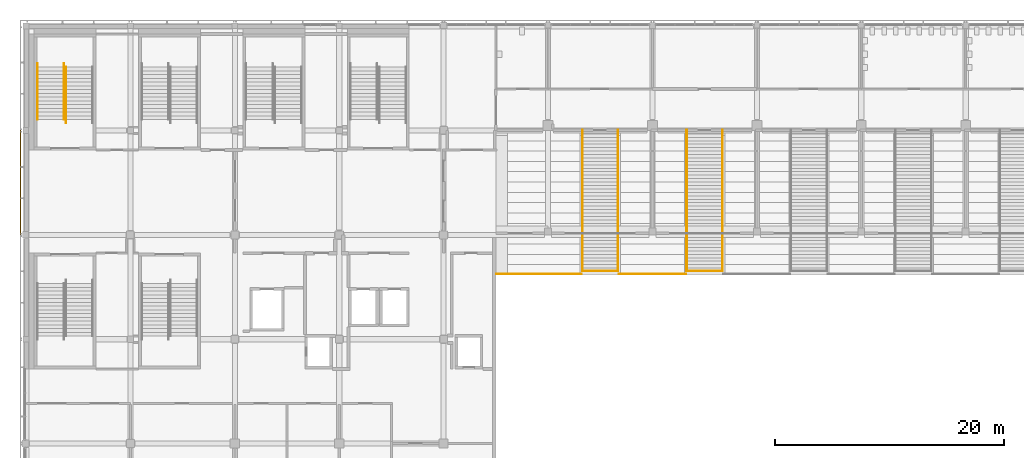
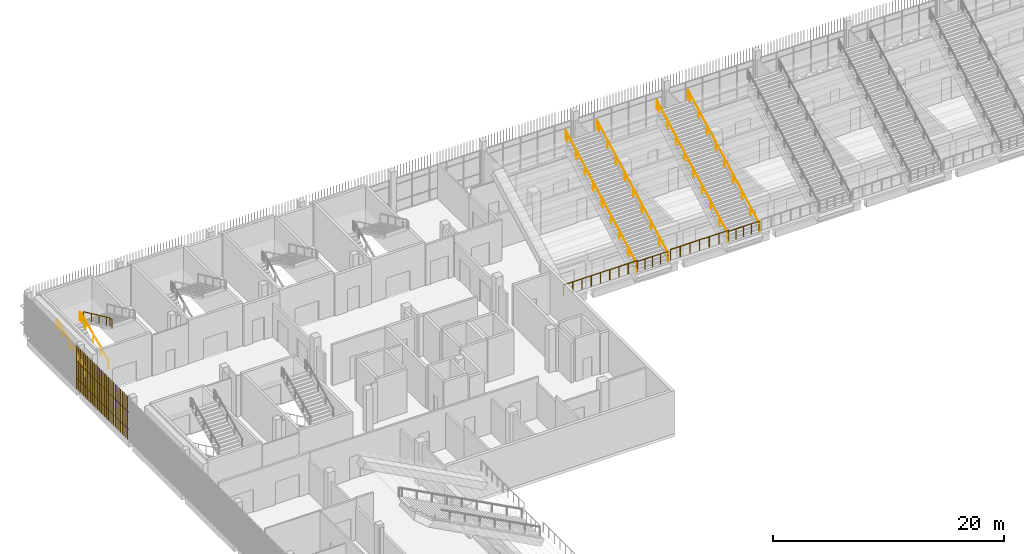
# One storey, part 123 of 139: 11 railings, 1 shading device.
"""IFC4 building model written with IfcOpenShell, lengths in metres."""

import ifcopenshell
import ifcopenshell.guid

model = None  # the IFC model being written
_history = None  # IfcOwnerHistory: only IFC2X3 demands one
_inside = {}  # id of a spatial element -> (the spatial element, [elements in it])
_under = {}  # id of a project, library or spatial element -> (it, [spatial elements below it])
_declared = {}  # id of a project -> (the project, [libraries it declares])
_typed = {}  # id of a type object -> (the type object, [elements of that type])
_made_of = {}  # id of a material, layer set ... -> (it, [elements and type objects made of it])


def new_model(schema):
    """Start an empty IFC model of exactly this schema.

    Asked for "IFC4X3", IfcOpenShell would pick the latest addendum, in which some entities
    have other attributes; the version numbers below select the first issue.
    IFC2X3 requires an IfcOwnerHistory on every rooted entity: one is made here for all.
    """
    global model, _history
    if schema == "IFC4X3":
        model = ifcopenshell.file(schema_version=(4, 3, 0, 0))
    else:
        model = ifcopenshell.file(schema=schema)
    _inside.clear()
    _under.clear()
    _declared.clear()
    _typed.clear()
    _made_of.clear()
    _history = None
    if model.schema == "IFC2X3":
        org = make("IfcOrganization", Name="unknown")
        user = make(
            "IfcPersonAndOrganization",
            ThePerson=make("IfcPerson", FamilyName="unknown"),
            TheOrganization=org,
        )
        app = make(
            "IfcApplication",
            ApplicationDeveloper=org,
            Version="unknown",
            ApplicationFullName="unknown",
            ApplicationIdentifier="unknown",
        )
        _history = make(
            "IfcOwnerHistory",
            OwningUser=user,
            OwningApplication=app,
            ChangeAction="ADDED",
            CreationDate=0,
        )
    return model


def make(cls, **values):
    """One entity of the class cls with the attributes given. An attribute that is None is left unset."""
    return model.create_entity(
        cls, **{name: value for name, value in values.items() if value is not None}
    )


def rooted(cls, **values):
    """An entity with a GlobalId (a new one), such as an element, a storey or a relation."""
    return make(cls, GlobalId=ifcopenshell.guid.new(), OwnerHistory=_history, **values)


def si_unit(unit_type, name, prefix=None):
    """IfcSIUnit, for example si_unit("LENGTHUNIT", "METRE", prefix="MILLI")."""
    return make("IfcSIUnit", UnitType=unit_type, Prefix=prefix, Name=name)


def assignment(units):
    """IfcUnitAssignment: the units of a project."""
    return None if units is None else make("IfcUnitAssignment", Units=units)


def point(xyz):
    """IfcCartesianPoint."""
    return None if xyz is None else make("IfcCartesianPoint", Coordinates=xyz)


def direction(xyz):
    """IfcDirection."""
    return None if xyz is None else make("IfcDirection", DirectionRatios=xyz)


def frame(location, z_axis=None, x_axis=None):
    """IfcAxis2Placement3D, a coordinate frame: its origin and axes. An axis left out is left unset."""
    return make(
        "IfcAxis2Placement3D",
        Location=point(location),
        Axis=direction(z_axis),
        RefDirection=direction(x_axis),
    )


def frame_2d(location, x_axis=None):
    """IfcAxis2Placement2D, a coordinate frame in the plane: its origin and x axis."""
    return make(
        "IfcAxis2Placement2D", Location=point(location), RefDirection=direction(x_axis)
    )


def origin():
    """The frame at (0, 0, 0) with its axes left unset."""
    return frame((0.0, 0.0, 0.0))


def origin_2d():
    """The frame at (0, 0) in the plane with its x axis left unset."""
    return frame_2d((0.0, 0.0))


def place(relative_to, where):
    """IfcLocalPlacement: puts the frame where relative to a parent placement (None: the world)."""
    return make(
        "IfcLocalPlacement", PlacementRelTo=relative_to, RelativePlacement=where
    )


def context(
    kind, dimensions, precision=None, world=None, true_north=None, identifier=None
):
    """IfcGeometricRepresentationContext, for example the 3D "Model" context."""
    return make(
        "IfcGeometricRepresentationContext",
        ContextIdentifier=identifier,
        ContextType=kind,
        CoordinateSpaceDimension=dimensions,
        Precision=precision,
        WorldCoordinateSystem=world,
        TrueNorth=true_north,
    )


def subcontext(parent, identifier, kind, view, scale=None):
    """IfcGeometricRepresentationSubContext, for example "Body" below "Model"."""
    return make(
        "IfcGeometricRepresentationSubContext",
        ContextIdentifier=identifier,
        ContextType=kind,
        ParentContext=parent,
        TargetScale=scale,
        TargetView=view,
    )


def project(units=None, contexts=None):
    """IfcProject with its units and contexts."""
    return rooted(
        "IfcProject",
        Name="project",
        RepresentationContexts=contexts,
        UnitsInContext=assignment(units),
    )


def spatial(cls, under=None, at=None, **own):
    """A site, building, storey or space (cls), placed at a placement, below another one or the project."""
    s = rooted(cls, ObjectPlacement=at, **own)
    if under is not None:
        _under.setdefault(under.id(), (under, []))[1].append(s)
    return s


def profile(cls, at=None, kind="AREA", **sizes):
    """A parametric profile (cls). Its sizes go by their IFC names, for example OverallWidth=200.0."""
    return make(cls, ProfileType=kind, Position=at, **sizes)


def rectangle(**sizes):
    """IfcRectangleProfileDef."""
    return profile("IfcRectangleProfileDef", **sizes)


def circle(**sizes):
    """IfcCircleProfileDef."""
    return profile("IfcCircleProfileDef", **sizes)


def extrude(swept, where, along, depth):
    """IfcExtrudedAreaSolid: the profile swept, set in the frame where, extruded along a direction by depth."""
    return make(
        "IfcExtrudedAreaSolid",
        SweptArea=swept,
        Position=where,
        ExtrudedDirection=direction(along),
        Depth=depth,
    )


def shape(context_of_items, identifier, shape_type, items):
    """IfcShapeRepresentation: the items that make up one representation, for example the "Body"."""
    return make(
        "IfcShapeRepresentation",
        ContextOfItems=context_of_items,
        RepresentationIdentifier=identifier,
        RepresentationType=shape_type,
        Items=items,
    )


def material(Name=None, Category=None):
    """IfcMaterial."""
    return make("IfcMaterial", Name=Name, Category=Category)


def made_of(thing, what):
    """Note that an element or type object is made of a material, layer set ...; save() writes the relation."""
    if what is not None:
        _made_of.setdefault(what.id(), (what, []))[1].append(thing)
    return thing


def type_object(cls, material=None, **own):
    """A type object (cls), such as IfcWallType, which elements share."""
    return made_of(rooted(cls, **own), material)


def element(
    cls,
    number,
    at=None,
    inside=None,
    cuts=None,
    type_object=None,
    material=None,
    context=None,
    identifier="Body",
    shape_type=None,
    held_by="IfcProductDefinitionShape",
    body=None,
    shapes=None,
    **own,
):
    """One element of the class cls, such as IfcWall. Its Tag is "e" and its number.

    at: its placement. inside: the storey or other place that contains it. cuts: it is an
    opening in that element (IfcRelVoidsElement). A single representation is given by context,
    identifier, shape_type and body (its items); several are given by shapes. held_by: the class
    of the entity that holds the representations. save() writes the other relations.
    """
    e = rooted(cls, Tag="e%d" % number, ObjectPlacement=at, **own)
    if body is not None:
        shapes = [shape(context, identifier, shape_type, body)]
    if shapes is not None:
        e.Representation = make(held_by, Representations=shapes)
    if inside is not None:
        _inside.setdefault(inside.id(), (inside, []))[1].append(e)
    if cuts is not None:
        rooted(
            "IfcRelVoidsElement", RelatingBuildingElement=cuts, RelatedOpeningElement=e
        )
    if type_object is not None:
        _typed.setdefault(type_object.id(), (type_object, []))[1].append(e)
    return made_of(e, material)


def aggregate(whole, parts):
    """IfcRelAggregates: a whole, such as a stair, and the parts it consists of."""
    return rooted("IfcRelAggregates", RelatingObject=whole, RelatedObjects=parts)


def save(model, path):
    """Write the relations noted so far, then the file.

    IfcRelAggregates (storeys below a building ...), IfcRelContainedInSpatialStructure (elements
    in a storey), IfcRelDefinesByType, IfcRelAssociatesMaterial and IfcRelDeclares: one each for
    every whole, place, type object, material and project.
    """
    for whole, parts in _under.values():
        aggregate(whole, parts)
    for where, things in _inside.values():
        rooted(
            "IfcRelContainedInSpatialStructure",
            RelatedElements=things,
            RelatingStructure=where,
        )
    for kind, things in _typed.values():
        rooted("IfcRelDefinesByType", RelatedObjects=things, RelatingType=kind)
    for what, things in _made_of.values():
        rooted("IfcRelAssociatesMaterial", RelatedObjects=things, RelatingMaterial=what)
    for by, libraries in _declared.values():
        rooted("IfcRelDeclares", RelatingContext=by, RelatedDefinitions=libraries)
    model.write(path)


model = new_model("IFC4")

# Units and contexts
model_context = context("Model", 3, precision=1e-05, world=origin(), true_north=direction((0.0, 1.0)))
body_context = subcontext(model_context, "Body", "Model", "MODEL_VIEW")
ifc_project = project(units=[si_unit("LENGTHUNIT", "METRE"), si_unit("AREAUNIT", "SQUARE_METRE"), si_unit("VOLUMEUNIT", "CUBIC_METRE"), si_unit("PLANEANGLEUNIT", "RADIAN"), si_unit("MASSUNIT", "GRAM", prefix="KILO")], contexts=[model_context])

# Site, building, storey
site_placement = place(None, origin())
site = spatial("IfcSite", under=ifc_project, at=site_placement, CompositionType="ELEMENT")
building_placement = place(site_placement, origin())
building = spatial("IfcBuilding", under=site, at=building_placement, Name="Shirokan Park Arena", CompositionType="ELEMENT")
storey_placement = place(building_placement, frame((0.0, 0.0, 15.469970703125)))
storey = spatial("IfcBuildingStorey", under=building, at=storey_placement, Name="L03", CompositionType="ELEMENT", Elevation=15.469970703125)

# Railings
ifc_material_1 = material(Name="Stainless steel", Category="steel")
railing_type_1 = type_object("IfcRailingType", Name="Aisle foot guard 1100", PredefinedType="GUARDRAIL", material=ifc_material_1)
railing_1_placement = place(storey_placement, frame((48.5, 87.85009765625, 2.5400390625)))
element("IfcRailing", 1, at=railing_1_placement, inside=storey, type_object=railing_type_1, Name="Guard foot of vomitory stair N1 upper", PredefinedType="GUARDRAIL", context=body_context, shape_type="SweptSolid", body=[
    extrude(circle(Radius=0.02490234375, at=origin_2d()), frame((0.0, 0.0, 1.0771484375), z_axis=(1.0, 0.0, 0.0), x_axis=(0.0, 1.0, 0.0)), (0.0, 0.0, 1.0), 3.10009765625),
    extrude(circle(Radius=0.02490234375, at=origin_2d()), origin(), (0.0, 0.0, 1.0), 1.052001953125),
    extrude(circle(Radius=0.02490234375, at=origin_2d()), frame((0.77490234375, 0.0, 0.0)), (0.0, 0.0, 1.0), 1.052001953125),
    extrude(circle(Radius=0.02490234375, at=origin_2d()), frame((1.550048828125, 0.0, 0.0)), (0.0, 0.0, 1.0), 1.052001953125),
    extrude(circle(Radius=0.02490234375, at=origin_2d()), frame((2.3251953125, 0.0, 0.0)), (0.0, 0.0, 1.0), 1.052001953125),
    extrude(circle(Radius=0.02490234375, at=origin_2d()), frame((3.10009765625, 0.0, 0.0)), (0.0, 0.0, 1.0), 1.052001953125),
])
railing_2_placement = place(storey_placement, frame((57.60009765625, 87.85009765625, 2.5400390625)))
element("IfcRailing", 2, at=railing_2_placement, inside=storey, type_object=railing_type_1, Name="Guard foot of vomitory stair N2 upper", PredefinedType="GUARDRAIL", context=body_context, shape_type="SweptSolid", body=[
    extrude(circle(Radius=0.02490234375, at=origin_2d()), frame((0.0, 0.0, 1.0771484375), z_axis=(1.0, 0.0, 0.0), x_axis=(0.0, 1.0, 0.0)), (0.0, 0.0, 1.0), 3.099853515625),
    extrude(circle(Radius=0.02490234375, at=origin_2d()), origin(), (0.0, 0.0, 1.0), 1.052001953125),
    extrude(circle(Radius=0.02490234375, at=origin_2d()), frame((0.77490234375, 0.0, 0.0)), (0.0, 0.0, 1.0), 1.052001953125),
    extrude(circle(Radius=0.02490234375, at=origin_2d()), frame((1.5498046875, 0.0, 0.0)), (0.0, 0.0, 1.0), 1.052001953125),
    extrude(circle(Radius=0.02490234375, at=origin_2d()), frame((2.324951171875, 0.0, 0.0)), (0.0, 0.0, 1.0), 1.052001953125),
    extrude(circle(Radius=0.02490234375, at=origin_2d()), frame((3.099853515625, 0.0, 0.0)), (0.0, 0.0, 1.0), 1.052001953125),
])
railing_type_2 = type_object("IfcRailingType", Name="Aisle handrail 900", PredefinedType="HANDRAIL", material=ifc_material_1)
railing_3_placement = place(storey_placement, frame((48.489990234375, 87.85009765625, 2.5400390625)))
element("IfcRailing", 3, at=railing_3_placement, inside=storey, type_object=railing_type_2, Name="Handrail vomitory stair N1 upper", PredefinedType="HANDRAIL", context=body_context, shape_type="SweptSolid", body=[
    extrude(circle(Radius=0.02490234375, at=origin_2d()), frame((0.0, 0.0, 0.90185546875), z_axis=(0.0, 0.882341014787, 0.470610596591), x_axis=(-1.0, 0.0, 0.0)), (0.0, 0.0, 1.0), 1.699951171875),
    extrude(circle(Radius=0.02490234375, at=origin_2d()), frame((0.0, 1.5, 1.70166015625), z_axis=(0.0, 0.882341014787, 0.470610596591), x_axis=(-1.0, 0.0, 0.0)), (0.0, 0.0, 1.0), 1.699951171875),
    extrude(circle(Radius=0.02490234375, at=origin_2d()), frame((0.0, 3.0, 2.501953125), z_axis=(0.0, 0.88240064429, 0.470498781037), x_axis=(-1.0, 0.0, 0.0)), (0.0, 0.0, 1.0), 1.699951171875),
    extrude(circle(Radius=0.02490234375, at=origin_2d()), frame((0.0, 4.5, 3.3017578125), z_axis=(0.0, 0.882341014787, 0.470610596591), x_axis=(-1.0, 0.0, 0.0)), (0.0, 0.0, 1.0), 1.699951171875),
    extrude(circle(Radius=0.02490234375, at=origin_2d()), frame((0.0, 6.0, 4.1015625), z_axis=(0.0, 0.882341014787, 0.470610596591), x_axis=(-1.0, 0.0, 0.0)), (0.0, 0.0, 1.0), 1.699951171875),
    extrude(circle(Radius=0.02490234375, at=origin_2d()), frame((0.0, 7.5, 4.90185546875), z_axis=(0.0, 0.882341014787, 0.470610596591), x_axis=(-1.0, 0.0, 0.0)), (0.0, 0.0, 1.0), 1.699951171875),
    extrude(circle(Radius=0.02490234375, at=origin_2d()), frame((0.0, 9.0, 5.70166015625), z_axis=(0.0, 0.882341014787, 0.470610596591), x_axis=(-1.0, 0.0, 0.0)), (0.0, 0.0, 1.0), 1.699951171875),
    extrude(circle(Radius=0.02490234375, at=origin_2d()), frame((0.0, 10.5, 6.501953125), z_axis=(0.0, 0.88240064429, 0.470498781037), x_axis=(-1.0, 0.0, 0.0)), (0.0, 0.0, 1.0), 1.699951171875),
    extrude(circle(Radius=0.02490234375, at=origin_2d()), frame((0.0, 12.0, 7.3017578125), z_axis=(0.0, 0.882034613395, 0.471184614322), x_axis=(-1.0, 0.0, 0.0)), (0.0, 0.0, 1.0), 0.33984375),
    extrude(circle(Radius=0.02490234375, at=origin_2d()), origin(), (0.0, 0.0, 1.0), 0.876708984375),
    extrude(circle(Radius=0.02490234375, at=origin_2d()), frame((0.0, 1.5, 0.800048828125)), (0.0, 0.0, 1.0), 0.876708984375),
    extrude(circle(Radius=0.02490234375, at=origin_2d()), frame((0.0, 3.0, 1.60009765625)), (0.0, 0.0, 1.0), 0.876708984375),
    extrude(circle(Radius=0.02490234375, at=origin_2d()), frame((0.0, 4.5, 2.39990234375)), (0.0, 0.0, 1.0), 0.876708984375),
    extrude(circle(Radius=0.02490234375, at=origin_2d()), frame((0.0, 6.0, 3.199951171875)), (0.0, 0.0, 1.0), 0.876708984375),
    extrude(circle(Radius=0.02490234375, at=origin_2d()), frame((0.0, 7.5, 4.0)), (0.0, 0.0, 1.0), 0.876708984375),
    extrude(circle(Radius=0.02490234375, at=origin_2d()), frame((0.0, 9.0, 4.800048828125)), (0.0, 0.0, 1.0), 0.876708984375),
    extrude(circle(Radius=0.02490234375, at=origin_2d()), frame((0.0, 10.5, 5.60009765625)), (0.0, 0.0, 1.0), 0.876708984375),
    extrude(circle(Radius=0.02490234375, at=origin_2d()), frame((0.0, 12.0, 6.39990234375)), (0.0, 0.0, 1.0), 0.876708984375),
    extrude(circle(Radius=0.02490234375, at=origin_2d()), frame((0.0, 12.2998046875, 6.56005859375)), (0.0, 0.0, 1.0), 0.876708984375),
])
railing_4_placement = place(storey_placement, frame((51.610107421875, 87.85009765625, 2.5400390625)))
element("IfcRailing", 4, at=railing_4_placement, inside=storey, type_object=railing_type_2, Name="Handrail vomitory stair N1 upper", PredefinedType="HANDRAIL", context=body_context, shape_type="SweptSolid", body=[
    extrude(circle(Radius=0.02490234375, at=origin_2d()), frame((0.0, 0.0, 0.90185546875), z_axis=(0.0, 0.882341014787, 0.470610596591), x_axis=(-1.0, 0.0, 0.0)), (0.0, 0.0, 1.0), 1.699951171875),
    extrude(circle(Radius=0.02490234375, at=origin_2d()), frame((0.0, 1.5, 1.70166015625), z_axis=(0.0, 0.882341014787, 0.470610596591), x_axis=(-1.0, 0.0, 0.0)), (0.0, 0.0, 1.0), 1.699951171875),
    extrude(circle(Radius=0.02490234375, at=origin_2d()), frame((0.0, 3.0, 2.501953125), z_axis=(0.0, 0.88240064429, 0.470498781037), x_axis=(-1.0, 0.0, 0.0)), (0.0, 0.0, 1.0), 1.699951171875),
    extrude(circle(Radius=0.02490234375, at=origin_2d()), frame((0.0, 4.5, 3.3017578125), z_axis=(0.0, 0.882341014787, 0.470610596591), x_axis=(-1.0, 0.0, 0.0)), (0.0, 0.0, 1.0), 1.699951171875),
    extrude(circle(Radius=0.02490234375, at=origin_2d()), frame((0.0, 6.0, 4.1015625), z_axis=(0.0, 0.882341014787, 0.470610596591), x_axis=(-1.0, 0.0, 0.0)), (0.0, 0.0, 1.0), 1.699951171875),
    extrude(circle(Radius=0.02490234375, at=origin_2d()), frame((0.0, 7.5, 4.90185546875), z_axis=(0.0, 0.882341014787, 0.470610596591), x_axis=(-1.0, 0.0, 0.0)), (0.0, 0.0, 1.0), 1.699951171875),
    extrude(circle(Radius=0.02490234375, at=origin_2d()), frame((0.0, 9.0, 5.70166015625), z_axis=(0.0, 0.882341014787, 0.470610596591), x_axis=(-1.0, 0.0, 0.0)), (0.0, 0.0, 1.0), 1.699951171875),
    extrude(circle(Radius=0.02490234375, at=origin_2d()), frame((0.0, 10.5, 6.501953125), z_axis=(0.0, 0.88240064429, 0.470498781037), x_axis=(-1.0, 0.0, 0.0)), (0.0, 0.0, 1.0), 1.699951171875),
    extrude(circle(Radius=0.02490234375, at=origin_2d()), frame((0.0, 12.0, 7.3017578125), z_axis=(0.0, 0.882034613395, 0.471184614322), x_axis=(-1.0, 0.0, 0.0)), (0.0, 0.0, 1.0), 0.33984375),
    extrude(circle(Radius=0.02490234375, at=origin_2d()), origin(), (0.0, 0.0, 1.0), 0.876708984375),
    extrude(circle(Radius=0.02490234375, at=origin_2d()), frame((0.0, 1.5, 0.800048828125)), (0.0, 0.0, 1.0), 0.876708984375),
    extrude(circle(Radius=0.02490234375, at=origin_2d()), frame((0.0, 3.0, 1.60009765625)), (0.0, 0.0, 1.0), 0.876708984375),
    extrude(circle(Radius=0.02490234375, at=origin_2d()), frame((0.0, 4.5, 2.39990234375)), (0.0, 0.0, 1.0), 0.876708984375),
    extrude(circle(Radius=0.02490234375, at=origin_2d()), frame((0.0, 6.0, 3.199951171875)), (0.0, 0.0, 1.0), 0.876708984375),
    extrude(circle(Radius=0.02490234375, at=origin_2d()), frame((0.0, 7.5, 4.0)), (0.0, 0.0, 1.0), 0.876708984375),
    extrude(circle(Radius=0.02490234375, at=origin_2d()), frame((0.0, 9.0, 4.800048828125)), (0.0, 0.0, 1.0), 0.876708984375),
    extrude(circle(Radius=0.02490234375, at=origin_2d()), frame((0.0, 10.5, 5.60009765625)), (0.0, 0.0, 1.0), 0.876708984375),
    extrude(circle(Radius=0.02490234375, at=origin_2d()), frame((0.0, 12.0, 6.39990234375)), (0.0, 0.0, 1.0), 0.876708984375),
    extrude(circle(Radius=0.02490234375, at=origin_2d()), frame((0.0, 12.2998046875, 6.56005859375)), (0.0, 0.0, 1.0), 0.876708984375),
])
railing_5_placement = place(storey_placement, frame((57.590087890625, 87.85009765625, 2.5400390625)))
element("IfcRailing", 5, at=railing_5_placement, inside=storey, type_object=railing_type_2, Name="Handrail vomitory stair N2 upper", PredefinedType="HANDRAIL", context=body_context, shape_type="SweptSolid", body=[
    extrude(circle(Radius=0.02490234375, at=origin_2d()), frame((0.0, 0.0, 0.90185546875), z_axis=(0.0, 0.882341014787, 0.470610596591), x_axis=(-1.0, 0.0, 0.0)), (0.0, 0.0, 1.0), 1.699951171875),
    extrude(circle(Radius=0.02490234375, at=origin_2d()), frame((0.0, 1.5, 1.70166015625), z_axis=(0.0, 0.882341014787, 0.470610596591), x_axis=(-1.0, 0.0, 0.0)), (0.0, 0.0, 1.0), 1.699951171875),
    extrude(circle(Radius=0.02490234375, at=origin_2d()), frame((0.0, 3.0, 2.501953125), z_axis=(0.0, 0.88240064429, 0.470498781037), x_axis=(-1.0, 0.0, 0.0)), (0.0, 0.0, 1.0), 1.699951171875),
    extrude(circle(Radius=0.02490234375, at=origin_2d()), frame((0.0, 4.5, 3.3017578125), z_axis=(0.0, 0.882341014787, 0.470610596591), x_axis=(-1.0, 0.0, 0.0)), (0.0, 0.0, 1.0), 1.699951171875),
    extrude(circle(Radius=0.02490234375, at=origin_2d()), frame((0.0, 6.0, 4.1015625), z_axis=(0.0, 0.882341014787, 0.470610596591), x_axis=(-1.0, 0.0, 0.0)), (0.0, 0.0, 1.0), 1.699951171875),
    extrude(circle(Radius=0.02490234375, at=origin_2d()), frame((0.0, 7.5, 4.90185546875), z_axis=(0.0, 0.882341014787, 0.470610596591), x_axis=(-1.0, 0.0, 0.0)), (0.0, 0.0, 1.0), 1.699951171875),
    extrude(circle(Radius=0.02490234375, at=origin_2d()), frame((0.0, 9.0, 5.70166015625), z_axis=(0.0, 0.882341014787, 0.470610596591), x_axis=(-1.0, 0.0, 0.0)), (0.0, 0.0, 1.0), 1.699951171875),
    extrude(circle(Radius=0.02490234375, at=origin_2d()), frame((0.0, 10.5, 6.501953125), z_axis=(0.0, 0.88240064429, 0.470498781037), x_axis=(-1.0, 0.0, 0.0)), (0.0, 0.0, 1.0), 1.699951171875),
    extrude(circle(Radius=0.02490234375, at=origin_2d()), frame((0.0, 12.0, 7.3017578125), z_axis=(0.0, 0.882034613395, 0.471184614322), x_axis=(-1.0, 0.0, 0.0)), (0.0, 0.0, 1.0), 0.33984375),
    extrude(circle(Radius=0.02490234375, at=origin_2d()), origin(), (0.0, 0.0, 1.0), 0.876708984375),
    extrude(circle(Radius=0.02490234375, at=origin_2d()), frame((0.0, 1.5, 0.800048828125)), (0.0, 0.0, 1.0), 0.876708984375),
    extrude(circle(Radius=0.02490234375, at=origin_2d()), frame((0.0, 3.0, 1.60009765625)), (0.0, 0.0, 1.0), 0.876708984375),
    extrude(circle(Radius=0.02490234375, at=origin_2d()), frame((0.0, 4.5, 2.39990234375)), (0.0, 0.0, 1.0), 0.876708984375),
    extrude(circle(Radius=0.02490234375, at=origin_2d()), frame((0.0, 6.0, 3.199951171875)), (0.0, 0.0, 1.0), 0.876708984375),
    extrude(circle(Radius=0.02490234375, at=origin_2d()), frame((0.0, 7.5, 4.0)), (0.0, 0.0, 1.0), 0.876708984375),
    extrude(circle(Radius=0.02490234375, at=origin_2d()), frame((0.0, 9.0, 4.800048828125)), (0.0, 0.0, 1.0), 0.876708984375),
    extrude(circle(Radius=0.02490234375, at=origin_2d()), frame((0.0, 10.5, 5.60009765625)), (0.0, 0.0, 1.0), 0.876708984375),
    extrude(circle(Radius=0.02490234375, at=origin_2d()), frame((0.0, 12.0, 6.39990234375)), (0.0, 0.0, 1.0), 0.876708984375),
    extrude(circle(Radius=0.02490234375, at=origin_2d()), frame((0.0, 12.2998046875, 6.56005859375)), (0.0, 0.0, 1.0), 0.876708984375),
])
railing_6_placement = place(storey_placement, frame((60.7099609375, 87.85009765625, 2.5400390625)))
element("IfcRailing", 6, at=railing_6_placement, inside=storey, type_object=railing_type_2, Name="Handrail vomitory stair N2 upper", PredefinedType="HANDRAIL", context=body_context, shape_type="SweptSolid", body=[
    extrude(circle(Radius=0.02490234375, at=origin_2d()), frame((0.0, 0.0, 0.90185546875), z_axis=(0.0, 0.882341014787, 0.470610596591), x_axis=(-1.0, 0.0, 0.0)), (0.0, 0.0, 1.0), 1.699951171875),
    extrude(circle(Radius=0.02490234375, at=origin_2d()), frame((0.0, 1.5, 1.70166015625), z_axis=(0.0, 0.882341014787, 0.470610596591), x_axis=(-1.0, 0.0, 0.0)), (0.0, 0.0, 1.0), 1.699951171875),
    extrude(circle(Radius=0.02490234375, at=origin_2d()), frame((0.0, 3.0, 2.501953125), z_axis=(0.0, 0.88240064429, 0.470498781037), x_axis=(-1.0, 0.0, 0.0)), (0.0, 0.0, 1.0), 1.699951171875),
    extrude(circle(Radius=0.02490234375, at=origin_2d()), frame((0.0, 4.5, 3.3017578125), z_axis=(0.0, 0.882341014787, 0.470610596591), x_axis=(-1.0, 0.0, 0.0)), (0.0, 0.0, 1.0), 1.699951171875),
    extrude(circle(Radius=0.02490234375, at=origin_2d()), frame((0.0, 6.0, 4.1015625), z_axis=(0.0, 0.882341014787, 0.470610596591), x_axis=(-1.0, 0.0, 0.0)), (0.0, 0.0, 1.0), 1.699951171875),
    extrude(circle(Radius=0.02490234375, at=origin_2d()), frame((0.0, 7.5, 4.90185546875), z_axis=(0.0, 0.882341014787, 0.470610596591), x_axis=(-1.0, 0.0, 0.0)), (0.0, 0.0, 1.0), 1.699951171875),
    extrude(circle(Radius=0.02490234375, at=origin_2d()), frame((0.0, 9.0, 5.70166015625), z_axis=(0.0, 0.882341014787, 0.470610596591), x_axis=(-1.0, 0.0, 0.0)), (0.0, 0.0, 1.0), 1.699951171875),
    extrude(circle(Radius=0.02490234375, at=origin_2d()), frame((0.0, 10.5, 6.501953125), z_axis=(0.0, 0.88240064429, 0.470498781037), x_axis=(-1.0, 0.0, 0.0)), (0.0, 0.0, 1.0), 1.699951171875),
    extrude(circle(Radius=0.02490234375, at=origin_2d()), frame((0.0, 12.0, 7.3017578125), z_axis=(0.0, 0.882034613395, 0.471184614322), x_axis=(-1.0, 0.0, 0.0)), (0.0, 0.0, 1.0), 0.33984375),
    extrude(circle(Radius=0.02490234375, at=origin_2d()), origin(), (0.0, 0.0, 1.0), 0.876708984375),
    extrude(circle(Radius=0.02490234375, at=origin_2d()), frame((0.0, 1.5, 0.800048828125)), (0.0, 0.0, 1.0), 0.876708984375),
    extrude(circle(Radius=0.02490234375, at=origin_2d()), frame((0.0, 3.0, 1.60009765625)), (0.0, 0.0, 1.0), 0.876708984375),
    extrude(circle(Radius=0.02490234375, at=origin_2d()), frame((0.0, 4.5, 2.39990234375)), (0.0, 0.0, 1.0), 0.876708984375),
    extrude(circle(Radius=0.02490234375, at=origin_2d()), frame((0.0, 6.0, 3.199951171875)), (0.0, 0.0, 1.0), 0.876708984375),
    extrude(circle(Radius=0.02490234375, at=origin_2d()), frame((0.0, 7.5, 4.0)), (0.0, 0.0, 1.0), 0.876708984375),
    extrude(circle(Radius=0.02490234375, at=origin_2d()), frame((0.0, 9.0, 4.800048828125)), (0.0, 0.0, 1.0), 0.876708984375),
    extrude(circle(Radius=0.02490234375, at=origin_2d()), frame((0.0, 10.5, 5.60009765625)), (0.0, 0.0, 1.0), 0.876708984375),
    extrude(circle(Radius=0.02490234375, at=origin_2d()), frame((0.0, 12.0, 6.39990234375)), (0.0, 0.0, 1.0), 0.876708984375),
    extrude(circle(Radius=0.02490234375, at=origin_2d()), frame((0.0, 12.2998046875, 6.56005859375)), (0.0, 0.0, 1.0), 0.876708984375),
])
railing_type_3 = type_object("IfcRailingType", Name="Crowd barrier 1100", PredefinedType="GUARDRAIL", material=ifc_material_1)
railing_7_placement = place(storey_placement, frame((41.0, 87.60009765625, 2.860107421875)))
element("IfcRailing", 7, at=railing_7_placement, inside=storey, type_object=railing_type_3, Name="Crowd barrier N1 upper tier", PredefinedType="GUARDRAIL", context=body_context, shape_type="SweptSolid", body=[
    extrude(circle(Radius=0.030029296875, at=origin_2d()), frame((0.0, 0.0, 1.072021484375), z_axis=(1.0, 0.0, 0.0), x_axis=(0.0, 1.0, 0.0)), (0.0, 0.0, 1.0), 7.39990234375),
    extrude(circle(Radius=0.030029296875, at=origin_2d()), origin(), (0.0, 0.0, 1.0), 1.0419921875),
    extrude(circle(Radius=0.030029296875, at=origin_2d()), frame((0.925048828125, 0.0, 0.0)), (0.0, 0.0, 1.0), 1.0419921875),
    extrude(circle(Radius=0.030029296875, at=origin_2d()), frame((1.85009765625, 0.0, 0.0)), (0.0, 0.0, 1.0), 1.0419921875),
    extrude(circle(Radius=0.030029296875, at=origin_2d()), frame((2.77490234375, 0.0, 0.0)), (0.0, 0.0, 1.0), 1.0419921875),
    extrude(circle(Radius=0.030029296875, at=origin_2d()), frame((3.699951171875, 0.0, 0.0)), (0.0, 0.0, 1.0), 1.0419921875),
    extrude(circle(Radius=0.030029296875, at=origin_2d()), frame((4.625, 0.0, 0.0)), (0.0, 0.0, 1.0), 1.0419921875),
    extrude(circle(Radius=0.030029296875, at=origin_2d()), frame((5.5498046875, 0.0, 0.0)), (0.0, 0.0, 1.0), 1.0419921875),
    extrude(circle(Radius=0.030029296875, at=origin_2d()), frame((6.474853515625, 0.0, 0.0)), (0.0, 0.0, 1.0), 1.0419921875),
    extrude(circle(Radius=0.030029296875, at=origin_2d()), frame((7.39990234375, 0.0, 0.0)), (0.0, 0.0, 1.0), 1.0419921875),
])
railing_8_placement = place(storey_placement, frame((51.699951171875, 87.60009765625, 2.860107421875)))
element("IfcRailing", 8, at=railing_8_placement, inside=storey, type_object=railing_type_3, Name="Crowd barrier N2 upper tier", PredefinedType="GUARDRAIL", context=body_context, shape_type="SweptSolid", body=[
    extrude(circle(Radius=0.030029296875, at=origin_2d()), frame((0.0, 0.0, 1.072021484375), z_axis=(1.0, 0.0, 0.0), x_axis=(0.0, 1.0, 0.0)), (0.0, 0.0, 1.0), 5.800048828125),
    extrude(circle(Radius=0.030029296875, at=origin_2d()), origin(), (0.0, 0.0, 1.0), 1.0419921875),
    extrude(circle(Radius=0.030029296875, at=origin_2d()), frame((0.966796875, 0.0, 0.0)), (0.0, 0.0, 1.0), 1.0419921875),
    extrude(circle(Radius=0.030029296875, at=origin_2d()), frame((1.933349609375, 0.0, 0.0)), (0.0, 0.0, 1.0), 1.0419921875),
    extrude(circle(Radius=0.030029296875, at=origin_2d()), frame((2.89990234375, 0.0, 0.0)), (0.0, 0.0, 1.0), 1.0419921875),
    extrude(circle(Radius=0.030029296875, at=origin_2d()), frame((3.86669921875, 0.0, 0.0)), (0.0, 0.0, 1.0), 1.0419921875),
    extrude(circle(Radius=0.030029296875, at=origin_2d()), frame((4.83349609375, 0.0, 0.0)), (0.0, 0.0, 1.0), 1.0419921875),
    extrude(circle(Radius=0.030029296875, at=origin_2d()), frame((5.800048828125, 0.0, 0.0)), (0.0, 0.0, 1.0), 1.0419921875),
])
railing_type_4 = type_object("IfcRailingType", Name="Stair handrail 900", PredefinedType="HANDRAIL", material=ifc_material_1)
railing_9_placement = place(storey_placement, frame((0.989990234375, 101.050048828125, 0.151611328125)))
element("IfcRailing", 9, at=railing_9_placement, inside=storey, type_object=railing_type_4, Name="Handrail Exit Stair 4.A L03 to L04", PredefinedType="HANDRAIL", context=body_context, shape_type="SweptSolid", body=[
    extrude(circle(Radius=0.02392578125, at=origin_2d()), frame((0.0, 0.0, 0.8759765625), z_axis=(0.0, 0.906999720516, 0.421131222998), x_axis=(-1.0, 0.0, 0.0)), (0.0, 0.0, 1.0), 1.440673828125),
    extrude(circle(Radius=0.02392578125, at=origin_2d()), frame((0.0, 1.306640625, 1.482421875), z_axis=(0.0, 0.907029769225, 0.421066500378), x_axis=(-1.0, 0.0, 0.0)), (0.0, 0.0, 1.0), 1.44091796875),
    extrude(circle(Radius=0.02392578125, at=origin_2d()), frame((0.0, 2.613525390625, 2.08935546875), z_axis=(0.0, 0.907029769225, 0.421066500378), x_axis=(-1.0, 0.0, 0.0)), (0.0, 0.0, 1.0), 1.44091796875),
    extrude(circle(Radius=0.02392578125, at=origin_2d()), frame((0.0, 3.92041015625, 2.69580078125), z_axis=(0.0, 0.906934982928, 0.421270621741), x_axis=(-1.0, 0.0, 0.0)), (0.0, 0.0, 1.0), 0.720458984375),
    extrude(circle(Radius=0.02392578125, at=origin_2d()), frame((0.0, 4.57373046875, 2.99951171875), z_axis=(0.0, 1.0, 0.0), x_axis=(-1.0, 0.0, 0.0)), (0.0, 0.0, 1.0), 0.300048828125),
    extrude(circle(Radius=0.02099609375, at=origin_2d()), origin(), (0.0, 0.0, 1.0), 0.851806640625),
    extrude(circle(Radius=0.02099609375, at=origin_2d()), frame((0.0, 1.306640625, 0.606689453125)), (0.0, 0.0, 1.0), 0.851806640625),
    extrude(circle(Radius=0.02099609375, at=origin_2d()), frame((0.0, 2.613525390625, 1.21337890625)), (0.0, 0.0, 1.0), 0.851806640625),
    extrude(circle(Radius=0.02099609375, at=origin_2d()), frame((0.0, 3.92041015625, 1.820068359375)), (0.0, 0.0, 1.0), 0.851806640625),
    extrude(circle(Radius=0.02099609375, at=origin_2d()), frame((0.0, 4.57373046875, 2.12353515625)), (0.0, 0.0, 1.0), 0.851806640625),
    extrude(circle(Radius=0.02099609375, at=origin_2d()), frame((0.0, 4.873779296875, 2.12353515625)), (0.0, 0.0, 1.0), 0.851806640625),
])
railing_10_placement = place(storey_placement, frame((3.31005859375, 101.050048828125, 0.151611328125)))
element("IfcRailing", 10, at=railing_10_placement, inside=storey, type_object=railing_type_4, Name="Handrail Exit Stair 4.A L03 to L04", PredefinedType="HANDRAIL", context=body_context, shape_type="SweptSolid", body=[
    extrude(circle(Radius=0.02392578125, at=origin_2d()), frame((0.0, 0.0, 0.8759765625), z_axis=(0.0, 0.906999720516, 0.421131222998), x_axis=(-1.0, 0.0, 0.0)), (0.0, 0.0, 1.0), 1.440673828125),
    extrude(circle(Radius=0.02392578125, at=origin_2d()), frame((0.0, 1.306640625, 1.482421875), z_axis=(0.0, 0.907029769225, 0.421066500378), x_axis=(-1.0, 0.0, 0.0)), (0.0, 0.0, 1.0), 1.44091796875),
    extrude(circle(Radius=0.02392578125, at=origin_2d()), frame((0.0, 2.613525390625, 2.08935546875), z_axis=(0.0, 0.907029769225, 0.421066500378), x_axis=(-1.0, 0.0, 0.0)), (0.0, 0.0, 1.0), 1.44091796875),
    extrude(circle(Radius=0.02392578125, at=origin_2d()), frame((0.0, 3.92041015625, 2.69580078125), z_axis=(0.0, 0.906934982928, 0.421270621741), x_axis=(-1.0, 0.0, 0.0)), (0.0, 0.0, 1.0), 0.720458984375),
    extrude(circle(Radius=0.02392578125, at=origin_2d()), frame((0.0, 4.57373046875, 2.99951171875), z_axis=(0.0, 1.0, 0.0), x_axis=(-1.0, 0.0, 0.0)), (0.0, 0.0, 1.0), 0.300048828125),
    extrude(circle(Radius=0.02099609375, at=origin_2d()), origin(), (0.0, 0.0, 1.0), 0.851806640625),
    extrude(circle(Radius=0.02099609375, at=origin_2d()), frame((0.0, 1.306640625, 0.606689453125)), (0.0, 0.0, 1.0), 0.851806640625),
    extrude(circle(Radius=0.02099609375, at=origin_2d()), frame((0.0, 2.613525390625, 1.21337890625)), (0.0, 0.0, 1.0), 0.851806640625),
    extrude(circle(Radius=0.02099609375, at=origin_2d()), frame((0.0, 3.92041015625, 1.820068359375)), (0.0, 0.0, 1.0), 0.851806640625),
    extrude(circle(Radius=0.02099609375, at=origin_2d()), frame((0.0, 4.57373046875, 2.12353515625)), (0.0, 0.0, 1.0), 0.851806640625),
    extrude(circle(Radius=0.02099609375, at=origin_2d()), frame((0.0, 4.873779296875, 2.12353515625)), (0.0, 0.0, 1.0), 0.851806640625),
])
railing_11_placement = place(storey_placement, frame((3.489990234375, 105.623779296875, 2.4267578125)))
element("IfcRailing", 11, at=railing_11_placement, inside=storey, type_object=railing_type_4, Name="Handrail Exit Stair 4.A L03 to L04", PredefinedType="HANDRAIL", context=body_context, shape_type="SweptSolid", body=[
    extrude(circle(Radius=0.02392578125, at=origin_2d()), frame((0.0, 0.0, 0.8759765625), z_axis=(0.0, -0.907029769225, 0.421066500378), x_axis=(1.0, 0.0, 0.0)), (0.0, 0.0, 1.0), 1.44091796875),
    extrude(circle(Radius=0.02392578125, at=origin_2d()), frame((0.0, -1.306884765625, 1.482421875), z_axis=(0.0, -0.906999720516, 0.421131222998), x_axis=(1.0, 0.0, 0.0)), (0.0, 0.0, 1.0), 1.440673828125),
    extrude(circle(Radius=0.02392578125, at=origin_2d()), frame((0.0, -2.613525390625, 2.08935546875), z_axis=(0.0, -0.907094476872, 0.420927083981), x_axis=(1.0, 0.0, 0.0)), (0.0, 0.0, 1.0), 1.440673828125),
    extrude(circle(Radius=0.02392578125, at=origin_2d()), frame((0.0, -3.92041015625, 2.69580078125), z_axis=(0.0, -0.906934982928, 0.421270621741), x_axis=(1.0, 0.0, 0.0)), (0.0, 0.0, 1.0), 0.720458984375),
    extrude(circle(Radius=0.02392578125, at=origin_2d()), frame((0.0, -4.57373046875, 2.9990234375), z_axis=(0.0, -1.0, 0.0), x_axis=(1.0, 0.0, 0.0)), (0.0, 0.0, 1.0), 0.300048828125),
    extrude(circle(Radius=0.02099609375, at=origin_2d()), origin(), (0.0, 0.0, 1.0), 0.851806640625),
    extrude(circle(Radius=0.02099609375, at=origin_2d()), frame((0.0, -1.306884765625, 0.606689453125)), (0.0, 0.0, 1.0), 0.851806640625),
    extrude(circle(Radius=0.02099609375, at=origin_2d()), frame((0.0, -2.613525390625, 1.21337890625)), (0.0, 0.0, 1.0), 0.851806640625),
    extrude(circle(Radius=0.02099609375, at=origin_2d()), frame((0.0, -3.92041015625, 1.81982421875)), (0.0, 0.0, 1.0), 0.851806640625),
    extrude(circle(Radius=0.02099609375, at=origin_2d()), frame((0.0, -4.57373046875, 2.123291015625)), (0.0, 0.0, 1.0), 0.851806640625),
    extrude(circle(Radius=0.02099609375, at=origin_2d()), frame((0.0, -4.873779296875, 2.123291015625)), (0.0, 0.0, 1.0), 0.851806640625),
])

# Shading device
ifc_material_2 = material(Name="Timber louvre veil (cedar)", Category="wood")
shading_device_type = type_object("IfcShadingDeviceType", Name="Timber louvre veil panel", PredefinedType="JALOUSIE", material=ifc_material_2)
shading_device_placement = place(storey_placement, origin())
element("IfcShadingDevice", 12, at=shading_device_placement, inside=storey, type_object=shading_device_type, Name="Timber louvre veil west bay 2 L03", PredefinedType="JALOUSIE", context=body_context, shape_type="SweptSolid", body=[
    extrude(rectangle(XDim=0.050048828125, YDim=0.080078125, at=origin_2d()), frame((-0.485107421875, 99.9482421875, 0.0), z_axis=(0.0, 0.0, 1.0), x_axis=(0.0, -1.0, 0.0)), (0.0, 0.0, 1.0), 4.550048828125),
    extrude(rectangle(XDim=0.050048828125, YDim=0.080078125, at=origin_2d()), frame((-0.485107421875, 99.64501953125, 0.0), z_axis=(0.0, 0.0, 1.0), x_axis=(0.0, -1.0, 0.0)), (0.0, 0.0, 1.0), 4.550048828125),
    extrude(rectangle(XDim=0.050048828125, YDim=0.080078125, at=origin_2d()), frame((-0.485107421875, 99.341552734375, 0.0), z_axis=(0.0, 0.0, 1.0), x_axis=(0.0, -1.0, 0.0)), (0.0, 0.0, 1.0), 4.550048828125),
    extrude(rectangle(XDim=0.050048828125, YDim=0.080078125, at=origin_2d()), frame((-0.485107421875, 99.038330078125, 0.0), z_axis=(0.0, 0.0, 1.0), x_axis=(0.0, -1.0, 0.0)), (0.0, 0.0, 1.0), 4.550048828125),
    extrude(rectangle(XDim=0.050048828125, YDim=0.080078125, at=origin_2d()), frame((-0.485107421875, 98.735107421875, 0.0), z_axis=(0.0, 0.0, 1.0), x_axis=(0.0, -1.0, 0.0)), (0.0, 0.0, 1.0), 4.550048828125),
    extrude(rectangle(XDim=0.050048828125, YDim=0.080078125, at=origin_2d()), frame((-0.485107421875, 98.431640625, 0.0), z_axis=(0.0, 0.0, 1.0), x_axis=(0.0, -1.0, 0.0)), (0.0, 0.0, 1.0), 4.550048828125),
    extrude(rectangle(XDim=0.050048828125, YDim=0.080078125, at=origin_2d()), frame((-0.485107421875, 98.12841796875, 0.0), z_axis=(0.0, 0.0, 1.0), x_axis=(0.0, -1.0, 0.0)), (0.0, 0.0, 1.0), 4.550048828125),
    extrude(rectangle(XDim=0.050048828125, YDim=0.080078125, at=origin_2d()), frame((-0.485107421875, 97.824951171875, 0.0), z_axis=(0.0, 0.0, 1.0), x_axis=(0.0, -1.0, 0.0)), (0.0, 0.0, 1.0), 4.550048828125),
    extrude(rectangle(XDim=0.050048828125, YDim=0.080078125, at=origin_2d()), frame((-0.485107421875, 97.521728515625, 0.0), z_axis=(0.0, 0.0, 1.0), x_axis=(0.0, -1.0, 0.0)), (0.0, 0.0, 1.0), 4.550048828125),
    extrude(rectangle(XDim=0.050048828125, YDim=0.080078125, at=origin_2d()), frame((-0.485107421875, 97.21826171875, 0.0), z_axis=(0.0, 0.0, 1.0), x_axis=(0.0, -1.0, 0.0)), (0.0, 0.0, 1.0), 4.550048828125),
    extrude(rectangle(XDim=0.050048828125, YDim=0.080078125, at=origin_2d()), frame((-0.485107421875, 96.9150390625, 0.0), z_axis=(0.0, 0.0, 1.0), x_axis=(0.0, -1.0, 0.0)), (0.0, 0.0, 1.0), 4.550048828125),
    extrude(rectangle(XDim=0.050048828125, YDim=0.080078125, at=origin_2d()), frame((-0.485107421875, 96.611572265625, 0.0), z_axis=(0.0, 0.0, 1.0), x_axis=(0.0, -1.0, 0.0)), (0.0, 0.0, 1.0), 4.550048828125),
    extrude(rectangle(XDim=0.050048828125, YDim=0.080078125, at=origin_2d()), frame((-0.485107421875, 96.308349609375, 0.0), z_axis=(0.0, 0.0, 1.0), x_axis=(0.0, -1.0, 0.0)), (0.0, 0.0, 1.0), 4.550048828125),
    extrude(rectangle(XDim=0.050048828125, YDim=0.080078125, at=origin_2d()), frame((-0.485107421875, 96.0048828125, 0.0), z_axis=(0.0, 0.0, 1.0), x_axis=(0.0, -1.0, 0.0)), (0.0, 0.0, 1.0), 4.550048828125),
    extrude(rectangle(XDim=0.050048828125, YDim=0.080078125, at=origin_2d()), frame((-0.485107421875, 95.70166015625, 0.0), z_axis=(0.0, 0.0, 1.0), x_axis=(0.0, -1.0, 0.0)), (0.0, 0.0, 1.0), 4.550048828125),
    extrude(rectangle(XDim=0.050048828125, YDim=0.080078125, at=origin_2d()), frame((-0.485107421875, 95.3984375, 0.0), z_axis=(0.0, 0.0, 1.0), x_axis=(0.0, -1.0, 0.0)), (0.0, 0.0, 1.0), 4.550048828125),
    extrude(rectangle(XDim=0.050048828125, YDim=0.080078125, at=origin_2d()), frame((-0.485107421875, 95.094970703125, 0.0), z_axis=(0.0, 0.0, 1.0), x_axis=(0.0, -1.0, 0.0)), (0.0, 0.0, 1.0), 4.550048828125),
    extrude(rectangle(XDim=0.050048828125, YDim=0.080078125, at=origin_2d()), frame((-0.485107421875, 94.791748046875, 0.0), z_axis=(0.0, 0.0, 1.0), x_axis=(0.0, -1.0, 0.0)), (0.0, 0.0, 1.0), 4.550048828125),
    extrude(rectangle(XDim=0.050048828125, YDim=0.080078125, at=origin_2d()), frame((-0.485107421875, 94.48828125, 0.0), z_axis=(0.0, 0.0, 1.0), x_axis=(0.0, -1.0, 0.0)), (0.0, 0.0, 1.0), 4.550048828125),
    extrude(rectangle(XDim=0.050048828125, YDim=0.080078125, at=origin_2d()), frame((-0.485107421875, 94.18505859375, 0.0), z_axis=(0.0, 0.0, 1.0), x_axis=(0.0, -1.0, 0.0)), (0.0, 0.0, 1.0), 4.550048828125),
    extrude(rectangle(XDim=0.050048828125, YDim=0.080078125, at=origin_2d()), frame((-0.485107421875, 93.881591796875, 0.0), z_axis=(0.0, 0.0, 1.0), x_axis=(0.0, -1.0, 0.0)), (0.0, 0.0, 1.0), 4.550048828125),
    extrude(rectangle(XDim=0.050048828125, YDim=0.080078125, at=origin_2d()), frame((-0.485107421875, 93.578369140625, 0.0), z_axis=(0.0, 0.0, 1.0), x_axis=(0.0, -1.0, 0.0)), (0.0, 0.0, 1.0), 4.550048828125),
    extrude(rectangle(XDim=0.050048828125, YDim=0.080078125, at=origin_2d()), frame((-0.485107421875, 93.27490234375, 0.0), z_axis=(0.0, 0.0, 1.0), x_axis=(0.0, -1.0, 0.0)), (0.0, 0.0, 1.0), 4.550048828125),
    extrude(rectangle(XDim=0.050048828125, YDim=0.080078125, at=origin_2d()), frame((-0.485107421875, 92.9716796875, 0.0), z_axis=(0.0, 0.0, 1.0), x_axis=(0.0, -1.0, 0.0)), (0.0, 0.0, 1.0), 4.550048828125),
    extrude(rectangle(XDim=0.050048828125, YDim=0.080078125, at=origin_2d()), frame((-0.485107421875, 92.668212890625, 0.0), z_axis=(0.0, 0.0, 1.0), x_axis=(0.0, -1.0, 0.0)), (0.0, 0.0, 1.0), 4.550048828125),
    extrude(rectangle(XDim=0.050048828125, YDim=0.080078125, at=origin_2d()), frame((-0.485107421875, 92.364990234375, 0.0), z_axis=(0.0, 0.0, 1.0), x_axis=(0.0, -1.0, 0.0)), (0.0, 0.0, 1.0), 4.550048828125),
    extrude(rectangle(XDim=0.050048828125, YDim=0.080078125, at=origin_2d()), frame((-0.485107421875, 92.061767578125, 0.0), z_axis=(0.0, 0.0, 1.0), x_axis=(0.0, -1.0, 0.0)), (0.0, 0.0, 1.0), 4.550048828125),
    extrude(rectangle(XDim=0.050048828125, YDim=0.080078125, at=origin_2d()), frame((-0.485107421875, 91.75830078125, 0.0), z_axis=(0.0, 0.0, 1.0), x_axis=(0.0, -1.0, 0.0)), (0.0, 0.0, 1.0), 4.550048828125),
    extrude(rectangle(XDim=0.050048828125, YDim=0.080078125, at=origin_2d()), frame((-0.485107421875, 91.455078125, 0.0), z_axis=(0.0, 0.0, 1.0), x_axis=(0.0, -1.0, 0.0)), (0.0, 0.0, 1.0), 4.550048828125),
    extrude(rectangle(XDim=0.050048828125, YDim=0.080078125, at=origin_2d()), frame((-0.485107421875, 91.151611328125, 0.0), z_axis=(0.0, 0.0, 1.0), x_axis=(0.0, -1.0, 0.0)), (0.0, 0.0, 1.0), 4.550048828125),
    extrude(rectangle(XDim=9.10009765625, YDim=0.050048828125, at=origin_2d()), frame((-0.469970703125, 95.550048828125, 1.06005859375), z_axis=(0.0, 0.0, 1.0), x_axis=(0.0, -1.0, 0.0)), (0.0, 0.0, 1.0), 0.080078125),
    extrude(rectangle(XDim=9.10009765625, YDim=0.050048828125, at=origin_2d()), frame((-0.469970703125, 95.550048828125, 2.860107421875), z_axis=(0.0, 0.0, 1.0), x_axis=(0.0, -1.0, 0.0)), (0.0, 0.0, 1.0), 0.080078125),
])

save(model, "model.ifc")
